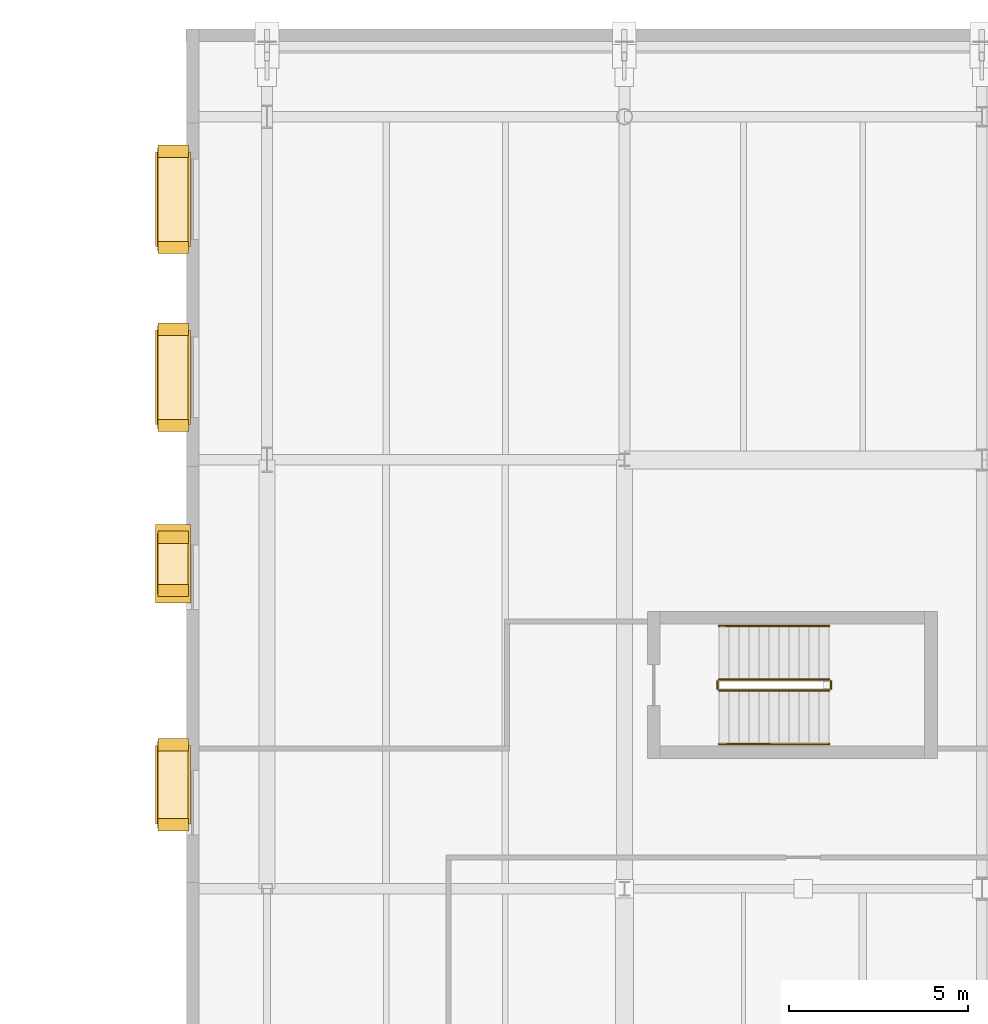
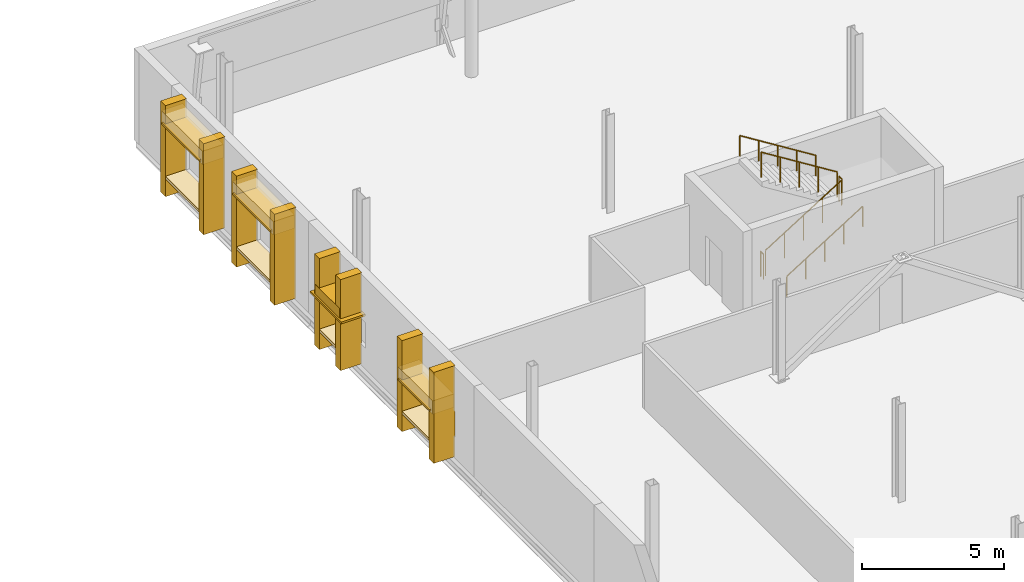
# One storey, part 85 of 90: 16 coverings, 6 railings, 4 shading devices.
"""IFC4 building model written with IfcOpenShell, lengths in metres."""

import ifcopenshell
import ifcopenshell.guid

model = None  # the IFC model being written
_history = None  # IfcOwnerHistory: only IFC2X3 demands one
_inside = {}  # id of a spatial element -> (the spatial element, [elements in it])
_under = {}  # id of a project, library or spatial element -> (it, [spatial elements below it])
_declared = {}  # id of a project -> (the project, [libraries it declares])
_typed = {}  # id of a type object -> (the type object, [elements of that type])
_made_of = {}  # id of a material, layer set ... -> (it, [elements and type objects made of it])


def new_model(schema):
    """Start an empty IFC model of exactly this schema.

    Asked for "IFC4X3", IfcOpenShell would pick the latest addendum, in which some entities
    have other attributes; the version numbers below select the first issue.
    IFC2X3 requires an IfcOwnerHistory on every rooted entity: one is made here for all.
    """
    global model, _history
    if schema == "IFC4X3":
        model = ifcopenshell.file(schema_version=(4, 3, 0, 0))
    else:
        model = ifcopenshell.file(schema=schema)
    _inside.clear()
    _under.clear()
    _declared.clear()
    _typed.clear()
    _made_of.clear()
    _history = None
    if model.schema == "IFC2X3":
        org = make("IfcOrganization", Name="unknown")
        user = make(
            "IfcPersonAndOrganization",
            ThePerson=make("IfcPerson", FamilyName="unknown"),
            TheOrganization=org,
        )
        app = make(
            "IfcApplication",
            ApplicationDeveloper=org,
            Version="unknown",
            ApplicationFullName="unknown",
            ApplicationIdentifier="unknown",
        )
        _history = make(
            "IfcOwnerHistory",
            OwningUser=user,
            OwningApplication=app,
            ChangeAction="ADDED",
            CreationDate=0,
        )
    return model


def make(cls, **values):
    """One entity of the class cls with the attributes given. An attribute that is None is left unset."""
    return model.create_entity(
        cls, **{name: value for name, value in values.items() if value is not None}
    )


def rooted(cls, **values):
    """An entity with a GlobalId (a new one), such as an element, a storey or a relation."""
    return make(cls, GlobalId=ifcopenshell.guid.new(), OwnerHistory=_history, **values)


def si_unit(unit_type, name, prefix=None):
    """IfcSIUnit, for example si_unit("LENGTHUNIT", "METRE", prefix="MILLI")."""
    return make("IfcSIUnit", UnitType=unit_type, Prefix=prefix, Name=name)


def assignment(units):
    """IfcUnitAssignment: the units of a project."""
    return None if units is None else make("IfcUnitAssignment", Units=units)


def point(xyz):
    """IfcCartesianPoint."""
    return None if xyz is None else make("IfcCartesianPoint", Coordinates=xyz)


def direction(xyz):
    """IfcDirection."""
    return None if xyz is None else make("IfcDirection", DirectionRatios=xyz)


def frame(location, z_axis=None, x_axis=None):
    """IfcAxis2Placement3D, a coordinate frame: its origin and axes. An axis left out is left unset."""
    return make(
        "IfcAxis2Placement3D",
        Location=point(location),
        Axis=direction(z_axis),
        RefDirection=direction(x_axis),
    )


def frame_2d(location, x_axis=None):
    """IfcAxis2Placement2D, a coordinate frame in the plane: its origin and x axis."""
    return make(
        "IfcAxis2Placement2D", Location=point(location), RefDirection=direction(x_axis)
    )


def origin():
    """The frame at (0, 0, 0) with its axes left unset."""
    return frame((0.0, 0.0, 0.0))


def origin_2d():
    """The frame at (0, 0) in the plane with its x axis left unset."""
    return frame_2d((0.0, 0.0))


def place(relative_to, where):
    """IfcLocalPlacement: puts the frame where relative to a parent placement (None: the world)."""
    return make(
        "IfcLocalPlacement", PlacementRelTo=relative_to, RelativePlacement=where
    )


def context(
    kind, dimensions, precision=None, world=None, true_north=None, identifier=None
):
    """IfcGeometricRepresentationContext, for example the 3D "Model" context."""
    return make(
        "IfcGeometricRepresentationContext",
        ContextIdentifier=identifier,
        ContextType=kind,
        CoordinateSpaceDimension=dimensions,
        Precision=precision,
        WorldCoordinateSystem=world,
        TrueNorth=true_north,
    )


def subcontext(parent, identifier, kind, view, scale=None):
    """IfcGeometricRepresentationSubContext, for example "Body" below "Model"."""
    return make(
        "IfcGeometricRepresentationSubContext",
        ContextIdentifier=identifier,
        ContextType=kind,
        ParentContext=parent,
        TargetScale=scale,
        TargetView=view,
    )


def project(units=None, contexts=None):
    """IfcProject with its units and contexts."""
    return rooted(
        "IfcProject",
        Name="project",
        RepresentationContexts=contexts,
        UnitsInContext=assignment(units),
    )


def spatial(cls, under=None, at=None, **own):
    """A site, building, storey or space (cls), placed at a placement, below another one or the project."""
    s = rooted(cls, ObjectPlacement=at, **own)
    if under is not None:
        _under.setdefault(under.id(), (under, []))[1].append(s)
    return s


def profile(cls, at=None, kind="AREA", **sizes):
    """A parametric profile (cls). Its sizes go by their IFC names, for example OverallWidth=200.0."""
    return make(cls, ProfileType=kind, Position=at, **sizes)


def rectangle(**sizes):
    """IfcRectangleProfileDef."""
    return profile("IfcRectangleProfileDef", **sizes)


def circle(**sizes):
    """IfcCircleProfileDef."""
    return profile("IfcCircleProfileDef", **sizes)


def extrude(swept, where, along, depth):
    """IfcExtrudedAreaSolid: the profile swept, set in the frame where, extruded along a direction by depth."""
    return make(
        "IfcExtrudedAreaSolid",
        SweptArea=swept,
        Position=where,
        ExtrudedDirection=direction(along),
        Depth=depth,
    )


def shape(context_of_items, identifier, shape_type, items):
    """IfcShapeRepresentation: the items that make up one representation, for example the "Body"."""
    return make(
        "IfcShapeRepresentation",
        ContextOfItems=context_of_items,
        RepresentationIdentifier=identifier,
        RepresentationType=shape_type,
        Items=items,
    )


def material(Name=None, Category=None):
    """IfcMaterial."""
    return make("IfcMaterial", Name=Name, Category=Category)


def layer(
    of_material, thickness, ventilated=None, Name=None, Category=None, Priority=None
):
    """IfcMaterialLayer: one layer of a wall or slab, of a material (None: an air gap)."""
    return make(
        "IfcMaterialLayer",
        Material=of_material,
        LayerThickness=thickness,
        IsVentilated=ventilated,
        Name=Name,
        Category=Category,
        Priority=Priority,
    )


def layer_set(layers, Name=None):
    """IfcMaterialLayerSet."""
    return make("IfcMaterialLayerSet", MaterialLayers=layers, LayerSetName=Name)


def made_of(thing, what):
    """Note that an element or type object is made of a material, layer set ...; save() writes the relation."""
    if what is not None:
        _made_of.setdefault(what.id(), (what, []))[1].append(thing)
    return thing


def type_object(cls, material=None, **own):
    """A type object (cls), such as IfcWallType, which elements share."""
    return made_of(rooted(cls, **own), material)


def element(
    cls,
    number,
    at=None,
    inside=None,
    cuts=None,
    type_object=None,
    material=None,
    context=None,
    identifier="Body",
    shape_type=None,
    held_by="IfcProductDefinitionShape",
    body=None,
    shapes=None,
    **own,
):
    """One element of the class cls, such as IfcWall. Its Tag is "e" and its number.

    at: its placement. inside: the storey or other place that contains it. cuts: it is an
    opening in that element (IfcRelVoidsElement). A single representation is given by context,
    identifier, shape_type and body (its items); several are given by shapes. held_by: the class
    of the entity that holds the representations. save() writes the other relations.
    """
    e = rooted(cls, Tag="e%d" % number, ObjectPlacement=at, **own)
    if body is not None:
        shapes = [shape(context, identifier, shape_type, body)]
    if shapes is not None:
        e.Representation = make(held_by, Representations=shapes)
    if inside is not None:
        _inside.setdefault(inside.id(), (inside, []))[1].append(e)
    if cuts is not None:
        rooted(
            "IfcRelVoidsElement", RelatingBuildingElement=cuts, RelatedOpeningElement=e
        )
    if type_object is not None:
        _typed.setdefault(type_object.id(), (type_object, []))[1].append(e)
    return made_of(e, material)


def aggregate(whole, parts):
    """IfcRelAggregates: a whole, such as a stair, and the parts it consists of."""
    return rooted("IfcRelAggregates", RelatingObject=whole, RelatedObjects=parts)


def save(model, path):
    """Write the relations noted so far, then the file.

    IfcRelAggregates (storeys below a building ...), IfcRelContainedInSpatialStructure (elements
    in a storey), IfcRelDefinesByType, IfcRelAssociatesMaterial and IfcRelDeclares: one each for
    every whole, place, type object, material and project.
    """
    for whole, parts in _under.values():
        aggregate(whole, parts)
    for where, things in _inside.values():
        rooted(
            "IfcRelContainedInSpatialStructure",
            RelatedElements=things,
            RelatingStructure=where,
        )
    for kind, things in _typed.values():
        rooted("IfcRelDefinesByType", RelatedObjects=things, RelatingType=kind)
    for what, things in _made_of.values():
        rooted("IfcRelAssociatesMaterial", RelatedObjects=things, RelatingMaterial=what)
    for by, libraries in _declared.values():
        rooted("IfcRelDeclares", RelatingContext=by, RelatedDefinitions=libraries)
    model.write(path)


model = new_model("IFC4")

# Units and contexts
model_context = context("Model", 3, precision=1e-05, world=origin(), true_north=direction((0.0, 1.0)))
body_context = subcontext(model_context, "Body", "Model", "MODEL_VIEW")
ifc_project = project(units=[si_unit("LENGTHUNIT", "METRE"), si_unit("AREAUNIT", "SQUARE_METRE"), si_unit("VOLUMEUNIT", "CUBIC_METRE"), si_unit("PLANEANGLEUNIT", "RADIAN"), si_unit("MASSUNIT", "GRAM", prefix="KILO")], contexts=[model_context])

# Site, building, storey
site_placement = place(None, origin())
site = spatial("IfcSite", under=ifc_project, at=site_placement, CompositionType="ELEMENT")
building_placement = place(site_placement, origin())
building = spatial("IfcBuilding", under=site, at=building_placement, Name="Zereglee Splitstone Museum", CompositionType="ELEMENT")
storey_placement = place(building_placement, frame((0.0, 0.0, 4.800048828125)))
storey = spatial("IfcBuildingStorey", under=building, at=storey_placement, Name="L01", CompositionType="ELEMENT", Elevation=4.800048828125)

# Coverings
ifc_material_1 = material(Name="Honed Gobi pale limestone stringcourse and soffit cladding", Category="masonry")
ifc_layer_1 = layer(ifc_material_1, 0.070068359375)
ifc_layer_set_1 = layer_set([ifc_layer_1], Name="Honed Gobi pale limestone stringcourse and soffit cladding")
covering_type_1 = type_object("IfcCoveringType", Name="CL-02", PredefinedType="CLADDING", material=ifc_layer_set_1)
for number, where, z_axis, x_axis, name in (
    (1, (172.574951171875, 59.034912109375, 0.0), (0.0, 0.0, 1.0), (0.0, -1.0, 0.0), "Mughal Window Reveal Stone Pilaster L01-0017L"),
    (2, (172.574951171875, 56.344970703125, 0.0), (0.0, 0.0, 1.0), (0.0, -1.0, 0.0), "Mughal Window Reveal Stone Pilaster L01-0017R"),
):
    element("IfcCovering", number, at=place(storey_placement, frame(where, z_axis=z_axis, x_axis=x_axis)), inside=storey, type_object=covering_type_1, Name=name, PredefinedType="CLADDING", context=body_context, shape_type="SweptSolid", body=[
        extrude(rectangle(XDim=0.340087890625, YDim=0.860107421875, at=origin_2d()), origin(), (0.0, 0.0, 1.0), 3.89990234375),
    ])
covering_1_placement = place(storey_placement, frame((172.56494140625, 57.68994140625, 0.760009765625), z_axis=(0.0, 0.0, 1.0), x_axis=(0.0, -1.0, 0.0)))
element("IfcCovering", 3, at=covering_1_placement, inside=storey, type_object=covering_type_1, Name="Carved Limestone Window Sill L01-0017", PredefinedType="CLADDING", context=body_context, shape_type="SweptSolid", body=[
    extrude(rectangle(XDim=2.889892578125, YDim=0.840087890625, at=origin_2d()), origin(), (0.0, 0.0, 1.0), 0.1201171875),
])
for number, where, z_axis, x_axis, name in (
    (4, (172.574951171875, 54.054931640625, 0.0), (0.0, 0.0, 1.0), (0.0, -1.0, 0.0), "Mughal Window Reveal Stone Pilaster L01-0018L"),
    (5, (172.574951171875, 51.364990234375, 0.0), (0.0, 0.0, 1.0), (0.0, -1.0, 0.0), "Mughal Window Reveal Stone Pilaster L01-0018R"),
):
    element("IfcCovering", number, at=place(storey_placement, frame(where, z_axis=z_axis, x_axis=x_axis)), inside=storey, type_object=covering_type_1, Name=name, PredefinedType="CLADDING", context=body_context, shape_type="SweptSolid", body=[
        extrude(rectangle(XDim=0.340087890625, YDim=0.860107421875, at=origin_2d()), origin(), (0.0, 0.0, 1.0), 3.89990234375),
    ])
covering_2_placement = place(storey_placement, frame((172.56494140625, 52.7099609375, 0.760009765625), z_axis=(0.0, 0.0, 1.0), x_axis=(0.0, -1.0, 0.0)))
element("IfcCovering", 6, at=covering_2_placement, inside=storey, type_object=covering_type_1, Name="Carved Limestone Window Sill L01-0018", PredefinedType="CLADDING", context=body_context, shape_type="SweptSolid", body=[
    extrude(rectangle(XDim=2.889892578125, YDim=0.840087890625, at=origin_2d()), origin(), (0.0, 0.0, 1.0), 0.1201171875),
])
for number, where, z_axis, x_axis, name in (
    (7, (172.574951171875, 48.235107421875, 0.0), (0.0, 0.0, 1.0), (0.0, -1.0, 0.0), "Mughal Window Reveal Stone Pilaster L01-0019L"),
    (8, (172.574951171875, 46.7451171875, 0.0), (0.0, 0.0, 1.0), (0.0, -1.0, 0.0), "Mughal Window Reveal Stone Pilaster L01-0019R"),
):
    element("IfcCovering", number, at=place(storey_placement, frame(where, z_axis=z_axis, x_axis=x_axis)), inside=storey, type_object=covering_type_1, Name=name, PredefinedType="CLADDING", context=body_context, shape_type="SweptSolid", body=[
        extrude(rectangle(XDim=0.340087890625, YDim=0.860107421875, at=origin_2d()), origin(), (0.0, 0.0, 1.0), 3.89990234375),
    ])
covering_3_placement = place(storey_placement, frame((172.56494140625, 47.489990234375, 0.760009765625), z_axis=(0.0, 0.0, 1.0), x_axis=(0.0, -1.0, 0.0)))
element("IfcCovering", 9, at=covering_3_placement, inside=storey, type_object=covering_type_1, Name="Carved Limestone Window Sill L01-0019", PredefinedType="CLADDING", context=body_context, shape_type="SweptSolid", body=[
    extrude(rectangle(XDim=1.68994140625, YDim=0.840087890625, at=origin_2d()), origin(), (0.0, 0.0, 1.0), 0.1201171875),
])
for number, where, z_axis, x_axis, name in (
    (10, (172.574951171875, 42.429931640625, 0.0), (0.0, 0.0, 1.0), (0.0, -1.0, 0.0), "Mughal Window Reveal Stone Pilaster L01-0020L"),
    (11, (172.574951171875, 40.18994140625, 0.0), (0.0, 0.0, 1.0), (0.0, -1.0, 0.0), "Mughal Window Reveal Stone Pilaster L01-0020R"),
):
    element("IfcCovering", number, at=place(storey_placement, frame(where, z_axis=z_axis, x_axis=x_axis)), inside=storey, type_object=covering_type_1, Name=name, PredefinedType="CLADDING", context=body_context, shape_type="SweptSolid", body=[
        extrude(rectangle(XDim=0.340087890625, YDim=0.860107421875, at=origin_2d()), origin(), (0.0, 0.0, 1.0), 3.89990234375),
    ])
covering_4_placement = place(storey_placement, frame((172.56494140625, 41.31005859375, 0.760009765625), z_axis=(0.0, 0.0, 1.0), x_axis=(0.0, -1.0, 0.0)))
element("IfcCovering", 12, at=covering_4_placement, inside=storey, type_object=covering_type_1, Name="Carved Limestone Window Sill L01-0020", PredefinedType="CLADDING", context=body_context, shape_type="SweptSolid", body=[
    extrude(rectangle(XDim=2.43994140625, YDim=0.840087890625, at=origin_2d()), origin(), (0.0, 0.0, 1.0), 0.1201171875),
])
ifc_material_2 = material(Name="Honed Khoroo red sandstone ventilated rainscreen", Category="masonry")
ifc_layer_2 = layer(ifc_material_2, 0.080078125)
ifc_layer_set_2 = layer_set([ifc_layer_2], Name="Honed Khoroo red sandstone ventilated rainscreen")
covering_type_2 = type_object("IfcCoveringType", Name="CL-01", PredefinedType="CLADDING", material=ifc_layer_set_2)
for number, where, z_axis, x_axis, name in (
    (13, (172.56494140625, 57.68994140625, 2.9599609375), (0.0, 0.0, 1.0), (0.0, -1.0, 0.0), "Pointed-Arch Mughal Window Hood L01-0017"),
    (14, (172.56494140625, 52.7099609375, 2.9599609375), (0.0, 0.0, 1.0), (0.0, -1.0, 0.0), "Pointed-Arch Mughal Window Hood L01-0018"),
):
    element("IfcCovering", number, at=place(storey_placement, frame(where, z_axis=z_axis, x_axis=x_axis)), inside=storey, type_object=covering_type_2, Name=name, PredefinedType="CLADDING", context=body_context, shape_type="SweptSolid", body=[
        extrude(rectangle(XDim=2.889892578125, YDim=0.860107421875, at=origin_2d()), origin(), (0.0, 0.0, 1.0), 0.580078125),
    ])
covering_5_placement = place(storey_placement, frame((172.56494140625, 47.489990234375, 2.059814453125), z_axis=(0.0, 0.0, 1.0), x_axis=(0.0, -1.0, 0.0)))
element("IfcCovering", 15, at=covering_5_placement, inside=storey, type_object=covering_type_2, Name="Pointed-Arch Mughal Window Hood L01-0019", PredefinedType="CLADDING", context=body_context, shape_type="SweptSolid", body=[
    extrude(rectangle(XDim=1.68994140625, YDim=0.860107421875, at=origin_2d()), origin(), (0.0, 0.0, 1.0), 0.580078125),
])
covering_6_placement = place(storey_placement, frame((172.56494140625, 41.31005859375, 2.059814453125), z_axis=(0.0, 0.0, 1.0), x_axis=(0.0, -1.0, 0.0)))
element("IfcCovering", 16, at=covering_6_placement, inside=storey, type_object=covering_type_2, Name="Pointed-Arch Mughal Window Hood L01-0020", PredefinedType="CLADDING", context=body_context, shape_type="SweptSolid", body=[
    extrude(rectangle(XDim=2.43994140625, YDim=0.860107421875, at=origin_2d()), origin(), (0.0, 0.0, 1.0), 0.580078125),
])

# Railings
ifc_material_3 = material(Name="Painted steel S355J2 post-and-baluster guard", Category="steel")
railing_type_1 = type_object("IfcRailingType", Name="GR-03", PredefinedType="BALUSTRADE", material=ifc_material_3)
railing_1_placement = place(storey_placement, frame((187.85009765625, 43.949951171875, 0.175048828125)))
element("IfcRailing", 17, at=railing_1_placement, inside=storey, type_object=railing_type_1, Name="L01 ST-07 stair guard 1", PredefinedType="BALUSTRADE", context=body_context, shape_type="SweptSolid", body=[
    extrude(circle(Radius=0.02392578125, at=origin_2d()), frame((0.0, 0.0, 1.076416015625), z_axis=(0.848009633417, 0.0, 0.529980812513), x_axis=(0.0, 1.0, 0.0)), (0.0, 0.0, 1.0), 3.6318359375),
    extrude(circle(Radius=0.02099609375, at=origin_2d()), origin(), (0.0, 0.0, 1.0), 1.052001953125),
    extrude(circle(Radius=0.02099609375, at=origin_2d()), frame((0.77001953125, 0.0, 0.481201171875)), (0.0, 0.0, 1.0), 1.052001953125),
    extrude(circle(Radius=0.02099609375, at=origin_2d()), frame((1.5400390625, 0.0, 0.96240234375)), (0.0, 0.0, 1.0), 1.052001953125),
    extrude(circle(Radius=0.02099609375, at=origin_2d()), frame((2.309814453125, 0.0, 1.443603515625)), (0.0, 0.0, 1.0), 1.052001953125),
    extrude(circle(Radius=0.02099609375, at=origin_2d()), frame((3.079833984375, 0.0, 1.9248046875)), (0.0, 0.0, 1.0), 1.052001953125),
])
railing_2_placement = place(storey_placement, frame((190.97998046875, 44.0, 2.099853515625)))
element("IfcRailing", 18, at=railing_2_placement, inside=storey, type_object=railing_type_1, Name="L01 ST-07 stair guard 2", PredefinedType="BALUSTRADE", context=body_context, shape_type="SweptSolid", body=[
    extrude(circle(Radius=0.02392578125, at=origin_2d()), frame((0.0, 0.0, 1.076416015625), z_axis=(0.0, 1.0, 0.0), x_axis=(-1.0, 0.0, 0.0)), (0.0, 0.0, 1.0), 0.199951171875),
    extrude(circle(Radius=0.02099609375, at=origin_2d()), origin(), (0.0, 0.0, 1.0), 1.052001953125),
    extrude(circle(Radius=0.02099609375, at=origin_2d()), frame((0.0, 0.199951171875, 0.0)), (0.0, 0.0, 1.0), 1.052001953125),
])
railing_3_placement = place(storey_placement, frame((190.929931640625, 44.25, 2.27490234375)))
element("IfcRailing", 19, at=railing_3_placement, inside=storey, type_object=railing_type_1, Name="L01 ST-07 stair guard 3", PredefinedType="BALUSTRADE", context=body_context, shape_type="SweptSolid", body=[
    extrude(circle(Radius=0.02392578125, at=origin_2d()), frame((0.0, 0.0, 1.076416015625), z_axis=(-0.847979421464, 0.0, 0.530029150871), x_axis=(0.0, -1.0, 0.0)), (0.0, 0.0, 1.0), 3.632080078125),
    extrude(circle(Radius=0.02099609375, at=origin_2d()), origin(), (0.0, 0.0, 1.0), 1.052001953125),
    extrude(circle(Radius=0.02099609375, at=origin_2d()), frame((-0.77001953125, 0.0, 0.481201171875)), (0.0, 0.0, 1.0), 1.052001953125),
    extrude(circle(Radius=0.02099609375, at=origin_2d()), frame((-1.5400390625, 0.0, 0.96240234375)), (0.0, 0.0, 1.0), 1.052001953125),
    extrude(circle(Radius=0.02099609375, at=origin_2d()), frame((-2.309814453125, 0.0, 1.44384765625)), (0.0, 0.0, 1.0), 1.052001953125),
    extrude(circle(Radius=0.02099609375, at=origin_2d()), frame((-3.079833984375, 0.0, 1.925048828125)), (0.0, 0.0, 1.0), 1.052001953125),
])
railing_4_placement = place(storey_placement, frame((187.800048828125, 44.0, 0.0)))
element("IfcRailing", 20, at=railing_4_placement, inside=storey, type_object=railing_type_1, Name="L01 ST-07 stair guard 4", PredefinedType="BALUSTRADE", context=body_context, shape_type="SweptSolid", body=[
    extrude(circle(Radius=0.02392578125, at=origin_2d()), frame((0.0, 0.0, 1.076416015625), z_axis=(0.0, 1.0, 0.0), x_axis=(-1.0, 0.0, 0.0)), (0.0, 0.0, 1.0), 0.199951171875),
    extrude(circle(Radius=0.02099609375, at=origin_2d()), origin(), (0.0, 0.0, 1.0), 1.052001953125),
    extrude(circle(Radius=0.02099609375, at=origin_2d()), frame((0.0, 0.199951171875, 0.0)), (0.0, 0.0, 1.0), 1.052001953125),
])
ifc_material_4 = material(Name="Architectural bronze tubular handrail", Category="steel")
railing_type_2 = type_object("IfcRailingType", Name="HR-01", PredefinedType="HANDRAIL", material=ifc_material_4)
railing_5_placement = place(storey_placement, frame((187.85009765625, 42.449951171875, 0.175048828125)))
element("IfcRailing", 21, at=railing_5_placement, inside=storey, type_object=railing_type_2, Name="L01 ST-07 stair handrail 1", PredefinedType="HANDRAIL", context=body_context, shape_type="SweptSolid", body=[
    extrude(circle(Radius=0.02392578125, at=origin_2d()), frame((0.0, 0.0, 0.8759765625), z_axis=(0.848009633417, 0.0, 0.529980812513), x_axis=(0.0, 1.0, 0.0)), (0.0, 0.0, 1.0), 3.6318359375),
    extrude(circle(Radius=0.02099609375, at=origin_2d()), origin(), (0.0, 0.0, 1.0), 0.851806640625),
    extrude(circle(Radius=0.02099609375, at=origin_2d()), frame((0.77001953125, 0.0, 0.481201171875)), (0.0, 0.0, 1.0), 0.851806640625),
    extrude(circle(Radius=0.02099609375, at=origin_2d()), frame((1.5400390625, 0.0, 0.96240234375)), (0.0, 0.0, 1.0), 0.851806640625),
    extrude(circle(Radius=0.02099609375, at=origin_2d()), frame((2.309814453125, 0.0, 1.443603515625)), (0.0, 0.0, 1.0), 0.851806640625),
    extrude(circle(Radius=0.02099609375, at=origin_2d()), frame((3.079833984375, 0.0, 1.9248046875)), (0.0, 0.0, 1.0), 0.851806640625),
])
railing_6_placement = place(storey_placement, frame((190.929931640625, 45.75, 2.27490234375)))
element("IfcRailing", 22, at=railing_6_placement, inside=storey, type_object=railing_type_2, Name="L01 ST-07 stair handrail 2", PredefinedType="HANDRAIL", context=body_context, shape_type="SweptSolid", body=[
    extrude(circle(Radius=0.02392578125, at=origin_2d()), frame((0.0, 0.0, 0.8759765625), z_axis=(-0.847979421464, 0.0, 0.530029150871), x_axis=(0.0, -1.0, 0.0)), (0.0, 0.0, 1.0), 3.632080078125),
    extrude(circle(Radius=0.02099609375, at=origin_2d()), origin(), (0.0, 0.0, 1.0), 0.851806640625),
    extrude(circle(Radius=0.02099609375, at=origin_2d()), frame((-0.77001953125, 0.0, 0.481201171875)), (0.0, 0.0, 1.0), 0.851806640625),
    extrude(circle(Radius=0.02099609375, at=origin_2d()), frame((-1.5400390625, 0.0, 0.96240234375)), (0.0, 0.0, 1.0), 0.851806640625),
    extrude(circle(Radius=0.02099609375, at=origin_2d()), frame((-2.309814453125, 0.0, 1.44384765625)), (0.0, 0.0, 1.0), 0.851806640625),
    extrude(circle(Radius=0.02099609375, at=origin_2d()), frame((-3.079833984375, 0.0, 1.925048828125)), (0.0, 0.0, 1.0), 0.851806640625),
])

# Shading devices
ifc_material_5 = material(Name="Anodised bronze extruded aluminium chhajja brise-soleil", Category="aluminium")
ifc_layer_3 = layer(ifc_material_5, 0.080078125)
ifc_layer_set_3 = layer_set([ifc_layer_3], Name="Anodised bronze extruded aluminium chhajja brise-soleil")
shading_device_type = type_object("IfcShadingDeviceType", Name="SH-01", PredefinedType="SHUTTER", material=ifc_layer_set_3)
for number, where, z_axis, x_axis, name in (
    (23, (172.56494140625, 57.68994140625, 3.039794921875), (0.0, 0.0, 1.0), (0.0, -1.0, 0.0), "Chhajja Window Brise-Soleil 10"),
    (24, (172.56494140625, 52.7099609375, 3.039794921875), (0.0, 0.0, 1.0), (0.0, -1.0, 0.0), "Chhajja Window Brise-Soleil 11"),
):
    element("IfcShadingDevice", number, at=place(storey_placement, frame(where, z_axis=z_axis, x_axis=x_axis)), inside=storey, type_object=shading_device_type, Name=name, PredefinedType="SHUTTER", context=body_context, shape_type="SweptSolid", body=[
        extrude(rectangle(XDim=2.64990234375, YDim=0.97998046875, at=origin_2d()), origin(), (0.0, 0.0, 1.0), 0.080078125),
    ])
for number, where, z_axis, x_axis, name in (
    (25, (172.56494140625, 47.489990234375, 2.139892578125), (0.0, 0.0, 1.0), (0.0, -1.0, 0.0), "Chhajja Window Brise-Soleil 12"),
    (26, (172.56494140625, 41.31005859375, 2.139892578125), (0.0, 0.0, 1.0), (0.0, -1.0, 0.0), "Chhajja Window Brise-Soleil 13"),
):
    element("IfcShadingDevice", number, at=place(storey_placement, frame(where, z_axis=z_axis, x_axis=x_axis)), inside=storey, type_object=shading_device_type, Name=name, PredefinedType="SHUTTER", context=body_context, shape_type="SweptSolid", body=[
        extrude(rectangle(XDim=2.199951171875, YDim=0.97998046875, at=origin_2d()), origin(), (0.0, 0.0, 1.0), 0.080078125),
    ])

save(model, "model.ifc")
